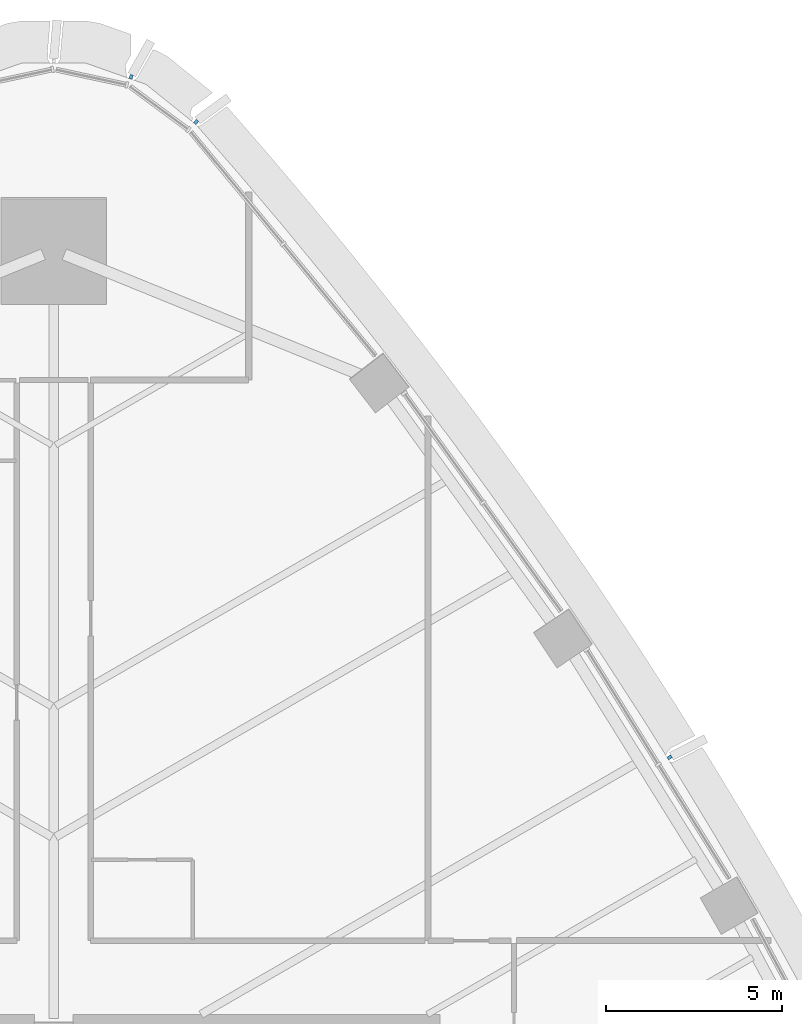
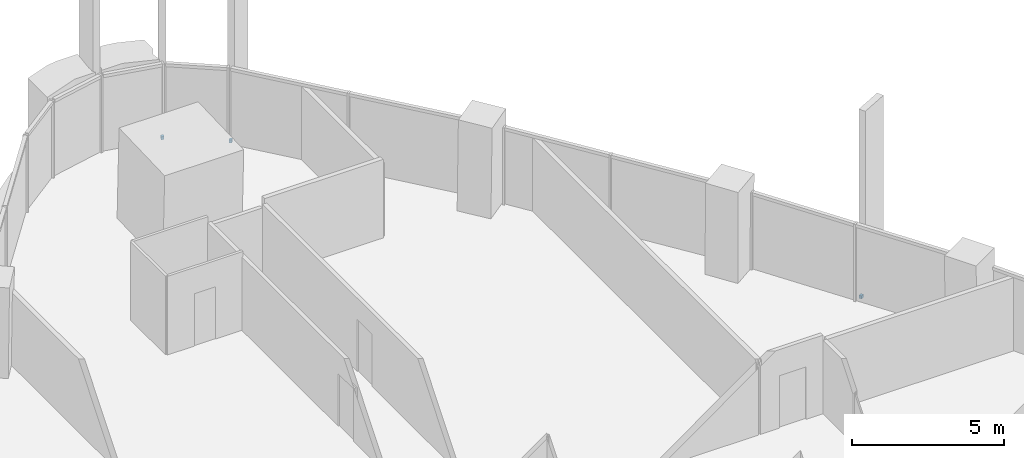
# One storey, part 18 of 22: 3 discrete accessories.
"""IFC4 building model written with IfcOpenShell, lengths in metres."""

from ifc_helpers import new_model, si_unit, direction, frame, origin, origin_2d, place, context, subcontext, project, spatial, rectangle, extrude, material, type_object, element, save


model = new_model("IFC4")

# Units and contexts
model_context = context("Model", 3, precision=1e-05, world=origin(), true_north=direction((0.0, 1.0)))
body_context = subcontext(model_context, "Body", "Model", "MODEL_VIEW")
ifc_project = project(units=[si_unit("LENGTHUNIT", "METRE"), si_unit("AREAUNIT", "SQUARE_METRE"), si_unit("VOLUMEUNIT", "CUBIC_METRE"), si_unit("PLANEANGLEUNIT", "RADIAN"), si_unit("MASSUNIT", "GRAM", prefix="KILO")], contexts=[model_context])

# Site, building, storey
site_placement = place(None, origin())
site = spatial("IfcSite", under=ifc_project, at=site_placement, CompositionType="ELEMENT")
building_placement = place(site_placement, origin())
building = spatial("IfcBuilding", under=site, at=building_placement, Name="Sierra Prisma Convention Tower", CompositionType="ELEMENT")
storey_placement = place(building_placement, frame((0.0, 0.0, 96.10009765625)))
storey = spatial("IfcBuildingStorey", under=building, at=storey_placement, Name="L20", CompositionType="ELEMENT", Elevation=96.10009765625)

# Discrete accessories
ifc_material = material(Name="Stainless steel 316", Category="steel")
discrete_accessory_type = type_object("IfcDiscreteAccessoryType", Name="Fin bracket", PredefinedType="BRACKET", material=ifc_material)
for number, where, z_axis, x_axis, name in (
    (1, (17.5322265625, 15.317626953125, -0.13525390625), (0.0, 0.0, 1.0), (0.84765878214, 0.530541788232, 0.0), "Fin bracket L20.32 base"),
    (2, (4.05322265625, 33.40576171875, -0.13525390625), (0.0, 0.0, 1.0), (0.627304506713, 0.77877407241, 0.0), "Fin bracket L20.39 base"),
    (3, (2.201416015625, 34.690185546875, -0.13525390625), (0.0, 0.0, 1.0), (0.332585272968, 0.943073187088, 0.0), "Fin bracket L20.40 base"),
):
    element("IfcDiscreteAccessory", number, at=place(storey_placement, frame(where, z_axis=z_axis, x_axis=x_axis)), inside=storey, type_object=discrete_accessory_type, Name=name, PredefinedType="BRACKET", context=body_context, shape_type="SweptSolid", body=[
        extrude(rectangle(XDim=0.1201171875, YDim=0.10009765625, at=origin_2d()), origin(), (0.0, 0.0, 1.0), 0.1201171875),
    ])

save(model, "model.ifc")
